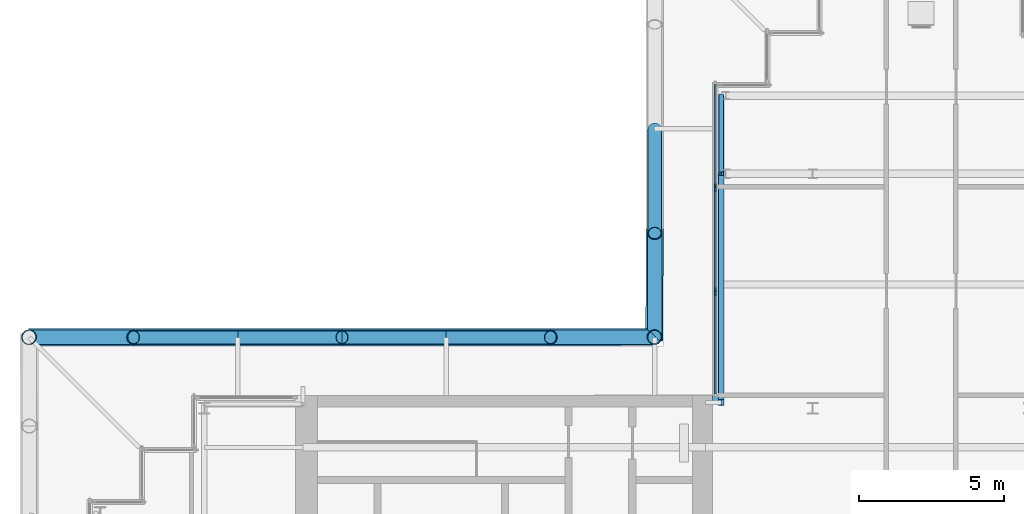
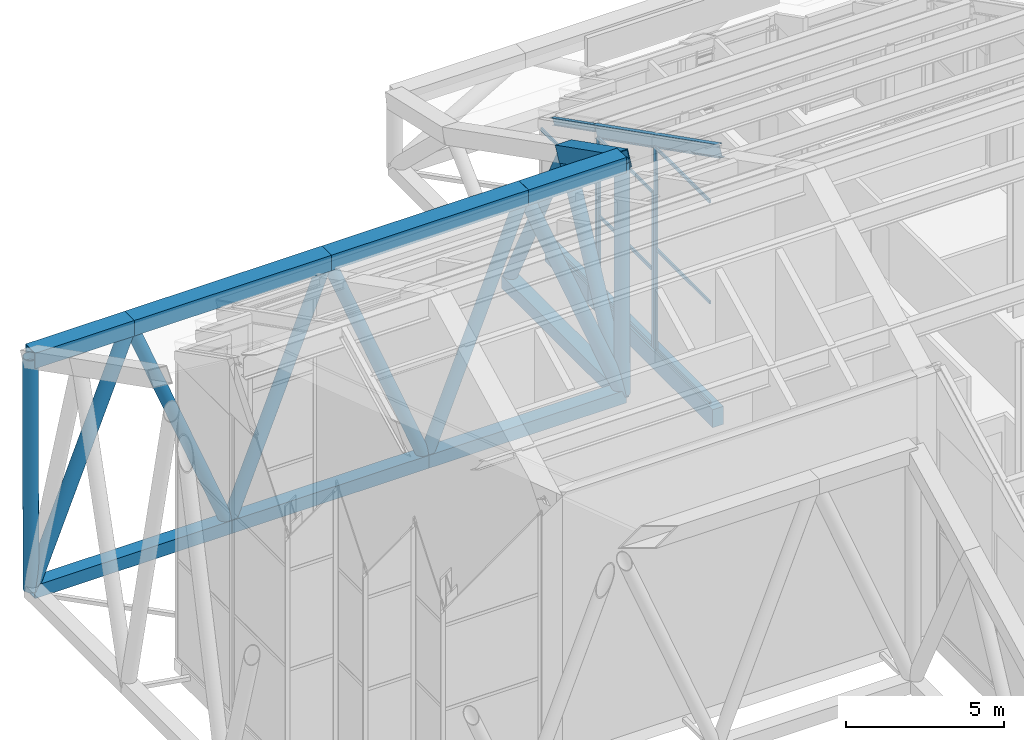
# One storey, part 12 of 25: 31 members, 4 beams, 3 elements without a shape of their own.
"""IFC4 building model written with IfcOpenShell, lengths in metres."""

from ifc_helpers import new_model, si_unit, direction, frame, origin, origin_2d, place, context, subcontext, project, spatial, rectangle, hollow_rectangle, hollow_circle, i_section, extrude, material, material_profile, profile_set, type_object, element, aggregate, save


model = new_model("IFC4")

# Units and contexts
model_context = context("Model", 3, precision=1e-05, world=origin(), true_north=direction((0.0, 1.0)))
body_context = subcontext(model_context, "Body", "Model", "MODEL_VIEW")
ifc_project = project(units=[si_unit("LENGTHUNIT", "METRE"), si_unit("AREAUNIT", "SQUARE_METRE"), si_unit("VOLUMEUNIT", "CUBIC_METRE"), si_unit("PLANEANGLEUNIT", "RADIAN"), si_unit("MASSUNIT", "GRAM", prefix="KILO")], contexts=[model_context])

# Site, building, storey
site_placement = place(None, origin())
site = spatial("IfcSite", under=ifc_project, at=site_placement, CompositionType="ELEMENT")
building_placement = place(site_placement, origin())
building = spatial("IfcBuilding", under=site, at=building_placement, Name="Fustian Cross Tower", CompositionType="ELEMENT")
storey_placement = place(building_placement, frame((0.0, 0.0, 247.5)))
storey = spatial("IfcBuildingStorey", under=building, at=storey_placement, Name="L77", CompositionType="ELEMENT", Elevation=247.5)

# Curtain wall, member
ifc_material_1 = material(Name="Glass", Category="glass")
curtain_wall_type = type_object("IfcCurtainWallType", Name="CW6 CURTAIN WALL", PredefinedType="NOTDEFINED", material=ifc_material_1)
curtain_wall_1_placement = place(storey_placement, origin())
curtain_wall_1 = element("IfcCurtainWall", 1, at=curtain_wall_1_placement, inside=storey, type_object=curtain_wall_type, Name="Curtain wall CW6", PredefinedType="NOTDEFINED")
ifc_material_2 = material(Name="Aluminium alloy 6063", Category="aluminium")
ifc_material_profile_1 = material_profile(ifc_material_2, rectangle(XDim=0.06005859375, YDim=0.159912109375, at=origin_2d()), Name="CW6 MULLION 60x160")
ifc_profile_set_1 = profile_set([ifc_material_profile_1], Name="Aluminium alloy 6063")
member_type_1 = type_object("IfcMemberType", Name="CW6 MULLION 60x160", PredefinedType="MULLION", material=ifc_profile_set_1)
member_1_placement = place(storey_placement, frame((-7.110107421875, 14.429931640625, 0.0), z_axis=(0.0, 0.0, 1.0), x_axis=(1.0, 0.0, 0.0)))
member_1 = element("IfcMember", 2, at=member_1_placement, type_object=member_type_1, Name="CW6 mullion 2", PredefinedType="MULLION", context=body_context, shape_type="SweptSolid", body=[
    extrude(rectangle(XDim=0.06005859375, YDim=0.159912109375, at=origin_2d()), origin(), (0.0, 0.0, 1.0), 4.183349609375),
])

# Curtain wall, members
curtain_wall_2_placement = place(storey_placement, origin())
curtain_wall_2 = element("IfcCurtainWall", 3, at=curtain_wall_2_placement, inside=storey, type_object=curtain_wall_type, Name="Curtain wall CW6", PredefinedType="NOTDEFINED")
member_2_placement = place(storey_placement, frame((-7.110107421875, 14.31005859375, 0.0), z_axis=(0.0, 0.0, 1.0), x_axis=(1.0, 0.0, 0.0)))
member_2 = element("IfcMember", 4, at=member_2_placement, type_object=member_type_1, Name="CW6 mullion 1", PredefinedType="MULLION", context=body_context, shape_type="SweptSolid", body=[
    extrude(rectangle(XDim=0.06005859375, YDim=0.159912109375, at=origin_2d()), origin(), (0.0, 0.0, 1.0), 6.0166015625),
])
member_3_placement = place(storey_placement, frame((-7.110107421875, 10.830078125, 0.0), z_axis=(0.0, 0.0, 1.0), x_axis=(1.0, 0.0, 0.0)))
member_3 = element("IfcMember", 5, at=member_3_placement, type_object=member_type_1, Name="CW6 mullion 2", PredefinedType="MULLION", context=body_context, shape_type="SweptSolid", body=[
    extrude(rectangle(XDim=0.06005859375, YDim=0.159912109375, at=origin_2d()), origin(), (0.0, 0.0, 1.0), 6.0166015625),
])

# Curtain wall, member
curtain_wall_3_placement = place(storey_placement, origin())
curtain_wall_3 = element("IfcCurtainWall", 6, at=curtain_wall_3_placement, inside=storey, type_object=curtain_wall_type, Name="Curtain wall CW6", PredefinedType="NOTDEFINED")
member_4_placement = place(storey_placement, frame((-7.110107421875, 10.7099609375, 0.0), z_axis=(0.0, 0.0, 1.0), x_axis=(1.0, 0.0, 0.0)))
member_4 = element("IfcMember", 7, at=member_4_placement, type_object=member_type_1, Name="CW6 mullion 1", PredefinedType="MULLION", context=body_context, shape_type="SweptSolid", body=[
    extrude(rectangle(XDim=0.06005859375, YDim=0.159912109375, at=origin_2d()), origin(), (0.0, 0.0, 1.0), 7.85009765625),
])

# Member
ifc_material_3 = material(Name="Aluminium alloy 6063", Category="aluminium")
ifc_material_profile_2 = material_profile(ifc_material_3, rectangle(XDim=0.06005859375, YDim=0.1201171875, at=origin_2d()), Name="CW6 TRANSOM 60x120")
ifc_profile_set_2 = profile_set([ifc_material_profile_2], Name="Aluminium alloy 6063")
member_type_2 = type_object("IfcMemberType", Name="CW6 TRANSOM 60x120", PredefinedType="USERDEFINED", material=ifc_profile_set_2)
member_5_placement = place(storey_placement, frame((-7.110107421875, 17.93994140625, 0.030029296875), z_axis=(0.0, -1.0, 0.0), x_axis=(1.0, 0.0, 0.0)))
member_5 = element("IfcMember", 8, at=member_5_placement, type_object=member_type_2, Name="CW6 transom 1.1", ObjectType="TRANSOM", PredefinedType="USERDEFINED", context=body_context, shape_type="SweptSolid", body=[
    extrude(rectangle(XDim=0.06005859375, YDim=0.1201171875, at=origin_2d()), origin(), (0.0, 0.0, 1.0), 3.47998046875),
])

member_6_placement = place(storey_placement, frame((-7.110107421875, 17.93994140625, 4.1533203125), z_axis=(0.0, -1.0, 0.0), x_axis=(1.0, 0.0, 0.0)))
member_6 = element("IfcMember", 9, at=member_6_placement, type_object=member_type_2, Name="CW6 transom 1.2", ObjectType="TRANSOM", PredefinedType="USERDEFINED", context=body_context, shape_type="SweptSolid", body=[
    extrude(rectangle(XDim=0.06005859375, YDim=0.1201171875, at=origin_2d()), origin(), (0.0, 0.0, 1.0), 3.47998046875),
])

aggregate(curtain_wall_1, [member_1, member_5, member_6])

member_7_placement = place(storey_placement, frame((-7.110107421875, 14.280029296875, 0.030029296875), z_axis=(0.0, -1.0, 0.0), x_axis=(1.0, 0.0, 0.0)))
member_7 = element("IfcMember", 10, at=member_7_placement, type_object=member_type_2, Name="CW6 transom 1.1", ObjectType="TRANSOM", PredefinedType="USERDEFINED", context=body_context, shape_type="SweptSolid", body=[
    extrude(rectangle(XDim=0.06005859375, YDim=0.1201171875, at=origin_2d()), origin(), (0.0, 0.0, 1.0), 3.419921875),
])

member_8_placement = place(storey_placement, frame((-7.110107421875, 14.280029296875, 3.00830078125), z_axis=(0.0, -1.0, 0.0), x_axis=(1.0, 0.0, 0.0)))
member_8 = element("IfcMember", 11, at=member_8_placement, type_object=member_type_2, Name="CW6 transom 1.2", ObjectType="TRANSOM", PredefinedType="USERDEFINED", context=body_context, shape_type="SweptSolid", body=[
    extrude(rectangle(XDim=0.06005859375, YDim=0.1201171875, at=origin_2d()), origin(), (0.0, 0.0, 1.0), 3.419921875),
])

member_9_placement = place(storey_placement, frame((-7.110107421875, 14.280029296875, 5.986572265625), z_axis=(0.0, -1.0, 0.0), x_axis=(1.0, 0.0, 0.0)))
member_9 = element("IfcMember", 12, at=member_9_placement, type_object=member_type_2, Name="CW6 transom 1.3", ObjectType="TRANSOM", PredefinedType="USERDEFINED", context=body_context, shape_type="SweptSolid", body=[
    extrude(rectangle(XDim=0.06005859375, YDim=0.1201171875, at=origin_2d()), origin(), (0.0, 0.0, 1.0), 3.419921875),
])

aggregate(curtain_wall_2, [member_2, member_3, member_7, member_8, member_9])

member_10_placement = place(storey_placement, frame((-7.110107421875, 10.679931640625, 0.030029296875), z_axis=(0.0, -1.0, 0.0), x_axis=(1.0, 0.0, 0.0)))
member_10 = element("IfcMember", 13, at=member_10_placement, type_object=member_type_2, Name="CW6 transom 1.1", ObjectType="TRANSOM", PredefinedType="USERDEFINED", context=body_context, shape_type="SweptSolid", body=[
    extrude(rectangle(XDim=0.06005859375, YDim=0.1201171875, at=origin_2d()), origin(), (0.0, 0.0, 1.0), 3.419921875),
])

member_11_placement = place(storey_placement, frame((-7.110107421875, 10.679931640625, 3.925048828125), z_axis=(0.0, -1.0, 0.0), x_axis=(1.0, 0.0, 0.0)))
member_11 = element("IfcMember", 14, at=member_11_placement, type_object=member_type_2, Name="CW6 transom 1.2", ObjectType="TRANSOM", PredefinedType="USERDEFINED", context=body_context, shape_type="SweptSolid", body=[
    extrude(rectangle(XDim=0.06005859375, YDim=0.1201171875, at=origin_2d()), origin(), (0.0, 0.0, 1.0), 3.419921875),
])

member_12_placement = place(storey_placement, frame((-7.110107421875, 10.679931640625, 7.820068359375), z_axis=(0.0, -1.0, 0.0), x_axis=(1.0, 0.0, 0.0)))
member_12 = element("IfcMember", 15, at=member_12_placement, type_object=member_type_2, Name="CW6 transom 1.3", ObjectType="TRANSOM", PredefinedType="USERDEFINED", context=body_context, shape_type="SweptSolid", body=[
    extrude(rectangle(XDim=0.06005859375, YDim=0.1201171875, at=origin_2d()), origin(), (0.0, 0.0, 1.0), 3.419921875),
])

aggregate(curtain_wall_3, [member_4, member_10, member_11, member_12])

# Members
ifc_material_4 = material(Name="Steel S355", Category="steel")
ifc_material_profile_3 = material_profile(ifc_material_4, hollow_circle(Radius=0.228515625, WallThickness=0.01611328125, at=origin_2d()), Name="CHS 457x16")
ifc_profile_set_3 = profile_set([ifc_material_profile_3], Name="Steel S355")
member_type_3 = type_object("IfcMemberType", Name="DIAGRID DIAGONAL CHS 457x16", PredefinedType="BRACE", material=ifc_profile_set_3)
member_13_placement = place(storey_placement, frame((-9.199951171875, 16.39990234375, 0.0), z_axis=(0.0, -0.450620944217, 0.89271538837), x_axis=(1.0, 0.0, 0.0)))
element("IfcMember", 16, at=member_13_placement, inside=storey, type_object=member_type_3, Name="Diagrid diagonal N-W 03", PredefinedType="BRACE", context=body_context, shape_type="SweptSolid", body=[
    extrude(hollow_circle(Radius=0.228515625, WallThickness=0.01611328125, at=origin_2d()), origin(), (0.0, 0.0, 1.0), 7.98876953125),
])
for number, where, z_axis, x_axis, name in (
    (17, (-16.39990234375, 9.199951171875, 0.0), (0.372632146332, 0.0, 0.927979139593), (0.0, 1.0, 0.0), "Diagrid diagonal W-N 02"),
    (18, (-16.39990234375, 9.199951171875, 0.0), (-0.372653908684, 0.0, 0.927970400575), (0.0, -1.0, 0.0), "Diagrid diagonal W-N 03"),
    (19, (-23.60009765625, 9.199951171875, 0.0), (0.372653908684, 0.0, 0.927970400575), (0.0, 1.0, 0.0), "Diagrid diagonal W-N 04"),
    (20, (-23.60009765625, 9.199951171875, 0.0), (-0.372632146332, 0.0, 0.927979139593), (0.0, -1.0, 0.0), "Diagrid diagonal W-N 05"),
):
    element("IfcMember", number, at=place(storey_placement, frame(where, z_axis=z_axis, x_axis=x_axis)), inside=storey, type_object=member_type_3, Name=name, PredefinedType="BRACE", context=body_context, shape_type="SweptSolid", body=[
        extrude(hollow_circle(Radius=0.228515625, WallThickness=0.01611328125, at=origin_2d()), origin(), (0.0, 0.0, 1.0), 9.66064453125),
    ])
ifc_material_5 = material(Name="Steel S355", Category="steel")
ifc_material_profile_4 = material_profile(ifc_material_5, hollow_circle(Radius=0.25390625, WallThickness=0.02001953125, at=origin_2d()), Name="CHS 508x20")
ifc_profile_set_4 = profile_set([ifc_material_profile_4], Name="Steel S355")
member_type_4 = type_object("IfcMemberType", Name="DIAGRID DIAGONAL CHS 508x20", PredefinedType="BRACE", material=ifc_profile_set_4)
member_14_placement = place(storey_placement, frame((-9.199951171875, 9.199951171875, 0.0), z_axis=(0.0, 0.450645298966, 0.89270309427), x_axis=(-1.0, 0.0, 0.0)))
element("IfcMember", 21, at=member_14_placement, inside=storey, type_object=member_type_4, Name="Diagrid diagonal N-W 04", PredefinedType="BRACE", context=body_context, shape_type="SweptSolid", body=[
    extrude(hollow_circle(Radius=0.25390625, WallThickness=0.02001953125, at=origin_2d()), origin(), (0.0, 0.0, 1.0), 7.98876953125),
])
member_15_placement = place(storey_placement, frame((-9.199951171875, 9.199951171875, 0.0), z_axis=(-0.00158080826, 0.00158080826, 0.999997501042), x_axis=(-0.707106781187, -0.707106781187, 0.0)))
element("IfcMember", 22, at=member_15_placement, inside=storey, type_object=member_type_4, Name="Diagrid diagonal N-W 05", PredefinedType="BRACE", context=body_context, shape_type="SweptSolid", body=[
    extrude(hollow_circle(Radius=0.25390625, WallThickness=0.02001953125, at=origin_2d()), origin(), (0.0, 0.0, 1.0), 8.95751953125),
])
for number, where, z_axis, x_axis, name in (
    (23, (-9.199951171875, 9.199951171875, 0.0), (-0.372653908684, 0.0, 0.927970400575), (0.0, -1.0, 0.0), "Diagrid diagonal W-N 01"),
    (24, (-30.800048828125, 9.199951171875, 0.0), (0.372653908684, 0.0, 0.927970400575), (0.0, 1.0, 0.0), "Diagrid diagonal W-N 06"),
):
    element("IfcMember", number, at=place(storey_placement, frame(where, z_axis=z_axis, x_axis=x_axis)), inside=storey, type_object=member_type_4, Name=name, PredefinedType="BRACE", context=body_context, shape_type="SweptSolid", body=[
        extrude(hollow_circle(Radius=0.25390625, WallThickness=0.02001953125, at=origin_2d()), origin(), (0.0, 0.0, 1.0), 9.66064453125),
    ])
member_16_placement = place(storey_placement, frame((-30.800048828125, 9.199951171875, 0.0), z_axis=(-0.00212487216, 0.000653806818, 0.999997528724), x_axis=(-0.294085848838, -0.955779008722, 0.0)))
element("IfcMember", 25, at=member_16_placement, inside=storey, type_object=member_type_4, Name="Diagrid diagonal W-N 07", PredefinedType="BRACE", context=body_context, shape_type="SweptSolid", body=[
    extrude(hollow_circle(Radius=0.25390625, WallThickness=0.02001953125, at=origin_2d()), origin(), (0.0, 0.0, 1.0), 8.9619140625),
])
ifc_material_6 = material(Name="Steel S355", Category="steel")
ifc_material_profile_5 = material_profile(ifc_material_6, hollow_rectangle(XDim=0.5, YDim=0.5, WallThickness=0.02490234375, at=origin_2d()), Name="RHS 500x500x25")
ifc_profile_set_5 = profile_set([ifc_material_profile_5], Name="Steel S355")
member_type_5 = type_object("IfcMemberType", Name="DIAGRID RING RHS 500x500x25", PredefinedType="MEMBER", material=ifc_profile_set_5)
for number, where, z_axis, x_axis, name in (
    (26, (-9.199951171875, 16.39990234375, 0.0), (0.0, -1.0, 0.0), (1.0, 0.0, 0.0), "Diagrid ring L77-10 L77-11"),
    (27, (-9.199951171875, 9.199951171875, 0.0), (-1.0, 0.0, 0.0), (0.0, -1.0, 0.0), "Diagrid ring L77-11 L77-12"),
):
    element("IfcMember", number, at=place(storey_placement, frame(where, z_axis=z_axis, x_axis=x_axis)), inside=storey, type_object=member_type_5, Name=name, PredefinedType="MEMBER", context=body_context, shape_type="SweptSolid", body=[
        extrude(hollow_rectangle(XDim=0.5, YDim=0.5, WallThickness=0.02490234375, at=origin_2d()), origin(), (0.0, 0.0, 1.0), 7.199951171875),
    ])
member_17_placement = place(storey_placement, frame((-16.39990234375, 9.199951171875, 0.0), z_axis=(-1.0, 0.0, 0.0), x_axis=(0.0, -1.0, 0.0)))
element("IfcMember", 28, at=member_17_placement, inside=storey, type_object=member_type_5, Name="Diagrid ring L77-12 L77-13", PredefinedType="MEMBER", context=body_context, shape_type="SweptSolid", body=[
    extrude(hollow_rectangle(XDim=0.5, YDim=0.5, WallThickness=0.02490234375, at=origin_2d()), origin(), (0.0, 0.0, 1.0), 7.2001953125),
])
member_18_placement = place(storey_placement, frame((-23.60009765625, 9.199951171875, 0.0), z_axis=(-1.0, 0.0, 0.0), x_axis=(0.0, -1.0, 0.0)))
element("IfcMember", 29, at=member_18_placement, inside=storey, type_object=member_type_5, Name="Diagrid ring L77-13 L77-14", PredefinedType="MEMBER", context=body_context, shape_type="SweptSolid", body=[
    extrude(hollow_rectangle(XDim=0.5, YDim=0.5, WallThickness=0.02490234375, at=origin_2d()), origin(), (0.0, 0.0, 1.0), 7.199951171875),
])
ifc_material_7 = material(Name="Steel S355", Category="steel")
ifc_material_profile_6 = material_profile(ifc_material_7, hollow_rectangle(XDim=0.60009765625, YDim=0.60009765625, WallThickness=0.030029296875, at=origin_2d()), Name="RHS 600x600x30")
ifc_profile_set_6 = profile_set([ifc_material_profile_6], Name="Steel S355")
member_type_6 = type_object("IfcMemberType", Name="DIAGRID RING RHS 600x600x30", PredefinedType="MEMBER", material=ifc_profile_set_6)
member_19_placement = place(storey_placement, frame((-9.199951171875, 12.800048828125, 7.131591796875), z_axis=(-0.003518862016, -0.891121470522, 0.453751189953), x_axis=(0.999992203574, -0.003948770956, 0.0)))
element("IfcMember", 30, at=member_19_placement, inside=storey, type_object=member_type_6, Name="Diagrid ring TOP-14 TOP-15", PredefinedType="MEMBER", context=body_context, shape_type="SweptSolid", body=[
    extrude(hollow_rectangle(XDim=0.60009765625, YDim=0.60009765625, WallThickness=0.030029296875, at=origin_2d()), origin(), (0.0, 0.0, 1.0), 4.024169921875),
])
member_20_placement = place(storey_placement, frame((-9.214111328125, 9.214111328125, 8.95751953125), z_axis=(-0.999990117759, -0.00394876272, 0.002042463476), x_axis=(0.003948770956, -0.999992203574, 0.0)))
element("IfcMember", 31, at=member_20_placement, inside=storey, type_object=member_type_6, Name="Diagrid ring TOP-15 TOP-16", PredefinedType="MEMBER", context=body_context, shape_type="SweptSolid", body=[
    extrude(hollow_rectangle(XDim=0.60009765625, YDim=0.60009765625, WallThickness=0.030029296875, at=origin_2d()), origin(), (0.0, 0.0, 1.0), 3.5859375),
])
for number, where, z_axis, x_axis, name in (
    (32, (-12.800048828125, 9.199951171875, 8.96484375), (-1.0, 0.0, 0.0), (0.0, -1.0, 0.0), "Diagrid ring TOP-16 TOP-17"),
    (33, (-20.0, 9.199951171875, 8.96484375), (-1.0, 0.0, 0.0), (0.0, -1.0, 0.0), "Diagrid ring TOP-17 TOP-18"),
):
    element("IfcMember", number, at=place(storey_placement, frame(where, z_axis=z_axis, x_axis=x_axis)), inside=storey, type_object=member_type_6, Name=name, PredefinedType="MEMBER", context=body_context, shape_type="SweptSolid", body=[
        extrude(hollow_rectangle(XDim=0.60009765625, YDim=0.60009765625, WallThickness=0.030029296875, at=origin_2d()), origin(), (0.0, 0.0, 1.0), 7.199951171875),
    ])
member_21_placement = place(storey_placement, frame((-27.199951171875, 9.199951171875, 8.96484375), z_axis=(-0.999998361786, 0.00161899357, -0.000809496785), x_axis=(-0.001618994101, -0.999998689428, 0.0)))
element("IfcMember", 34, at=member_21_placement, inside=storey, type_object=member_type_6, Name="Diagrid ring TOP-18 TOP-19", PredefinedType="MEMBER", context=body_context, shape_type="SweptSolid", body=[
    extrude(hollow_rectangle(XDim=0.60009765625, YDim=0.60009765625, WallThickness=0.030029296875, at=origin_2d()), origin(), (0.0, 0.0, 1.0), 3.619140625),
])

# Beams
ifc_material_8 = material(Name="Concrete C50/60", Category="concrete")
ifc_material_profile_7 = material_profile(ifc_material_8, rectangle(XDim=0.39990234375, YDim=0.699951171875, at=origin_2d()), Name="RC 400x700")
ifc_profile_set_7 = profile_set([ifc_material_profile_7], Name="Concrete C50/60")
beam_type_1 = type_object("IfcBeamType", Name="EDGE BEAM RC 400x700 C50/60", PredefinedType="SPANDREL", material=ifc_profile_set_7)
beam_1_placement = place(storey_placement, frame((-7.0, 17.550048828125, -0.35009765625), z_axis=(0.0, -1.0, 0.0), x_axis=(1.0, 0.0, 0.0)))
element("IfcBeam", 35, at=beam_1_placement, inside=storey, type_object=beam_type_1, Name="EDGE BEAM L77-07", PredefinedType="SPANDREL", context=body_context, shape_type="SweptSolid", body=[
    extrude(rectangle(XDim=0.39990234375, YDim=0.699951171875, at=origin_2d()), origin(), (0.0, 0.0, 1.0), 2.699951171875),
])
beam_2_placement = place(storey_placement, frame((-7.0, 14.85009765625, -0.35009765625), z_axis=(0.0, -1.0, 0.0), x_axis=(1.0, 0.0, 0.0)))
element("IfcBeam", 36, at=beam_2_placement, inside=storey, type_object=beam_type_1, Name="EDGE BEAM L77-08", PredefinedType="SPANDREL", context=body_context, shape_type="SweptSolid", body=[
    extrude(rectangle(XDim=0.39990234375, YDim=0.699951171875, at=origin_2d()), origin(), (0.0, 0.0, 1.0), 7.900146484375),
])
ifc_material_9 = material(Name="Steel S355", Category="steel")
ifc_material_profile_8 = material_profile(ifc_material_9, i_section(OverallWidth=0.19287109375, OverallDepth=0.46728515625, WebThickness=0.011474609375, FlangeThickness=0.01953125, FilletRadius=0.01025390625, at=origin_2d()), Name="UB 457x191x98")
ifc_profile_set_8 = profile_set([ifc_material_profile_8], Name="Steel S355")
beam_type_2 = type_object("IfcBeamType", Name="ROOF RAFTER UB 457x191x98 S355", PredefinedType="BEAM", material=ifc_profile_set_8)
beam_3_placement = place(storey_placement, frame((-6.89990234375, 14.85009765625, 5.87548828125), z_axis=(0.0, -0.891114931037, 0.453777676493), x_axis=(1.0, 0.0, 0.0)))
element("IfcBeam", 37, at=beam_3_placement, inside=storey, type_object=beam_type_2, Name="ROOF BEAM 012", PredefinedType="BEAM", context=body_context, shape_type="SweptSolid", body=[
    extrude(i_section(OverallWidth=0.19287109375, OverallDepth=0.46728515625, WebThickness=0.011474609375, FlangeThickness=0.01953125, FilletRadius=0.01025390625, at=origin_2d()), origin(), (0.0, 0.0, 1.0), 8.865478515625),
])
ifc_material_10 = material(Name="Steel S355", Category="steel")
ifc_material_profile_9 = material_profile(ifc_material_10, i_section(OverallWidth=0.14599609375, OverallDepth=0.25146484375, WebThickness=0.006103515625, FlangeThickness=0.008544921875, FilletRadius=0.007568359375, at=origin_2d()), Name="UB 254x146x31")
ifc_profile_set_9 = profile_set([ifc_material_profile_9], Name="Steel S355")
beam_type_3 = type_object("IfcBeamType", Name="ROOF TRIMMER UB 254x146x31 S355", PredefinedType="BEAM", material=ifc_profile_set_9)
beam_4_placement = place(storey_placement, frame((-6.89990234375, 17.550048828125, 4.621337890625), z_axis=(0.0, -0.891099136061, 0.453808692856), x_axis=(1.0, 0.0, 0.0)))
element("IfcBeam", 38, at=beam_4_placement, inside=storey, type_object=beam_type_3, Name="ROOF BEAM 011", PredefinedType="BEAM", context=body_context, shape_type="SweptSolid", body=[
    extrude(i_section(OverallWidth=0.14599609375, OverallDepth=0.25146484375, WebThickness=0.006103515625, FlangeThickness=0.008544921875, FilletRadius=0.007568359375, at=origin_2d()), origin(), (0.0, 0.0, 1.0), 3.030029296875),
])

save(model, "model.ifc")
